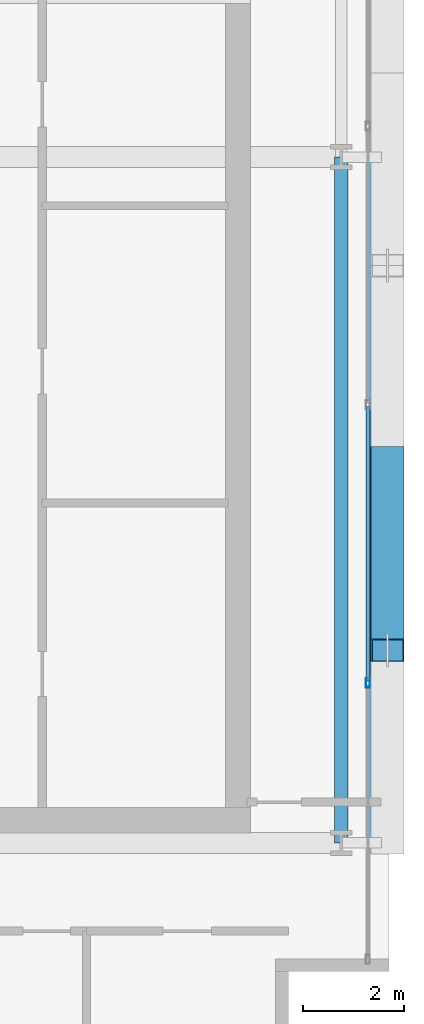
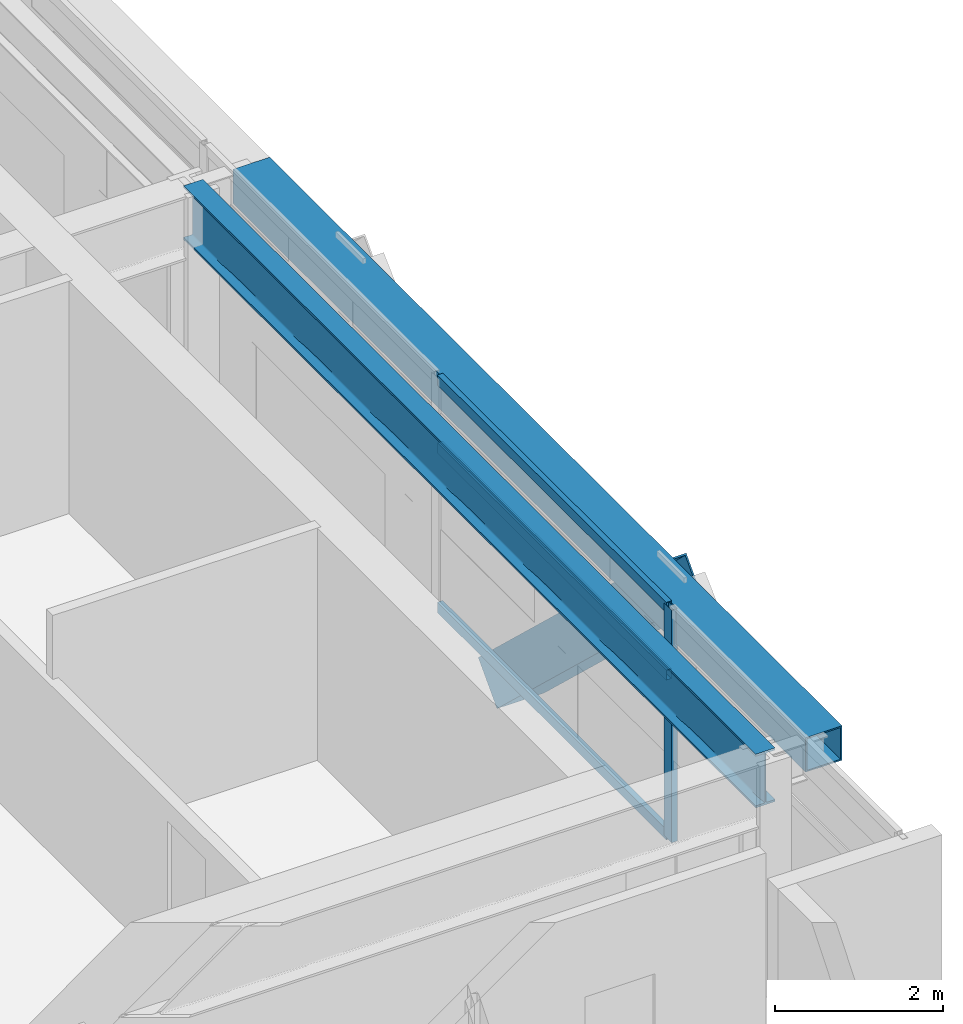
# One storey, part 12 of 31: 5 members, 2 beams, 1 element without a shape of its own.
"""IFC4 building model written with IfcOpenShell, lengths in metres."""

from ifc_helpers import new_model, si_unit, direction, frame, origin, origin_2d, place, context, subcontext, project, spatial, hollow_rectangle, i_section, extrude, source, transform, mapped, material, layer, layer_set, material_profile, profile_set, type_object, element, aggregate, save


model = new_model("IFC4")

# Units and contexts
model_context = context("Model", 3, precision=1e-05, world=origin(), true_north=direction((0.0, 1.0)))
body_context = subcontext(model_context, "Body", "Model", "MODEL_VIEW")
ifc_project = project(units=[si_unit("LENGTHUNIT", "METRE"), si_unit("AREAUNIT", "SQUARE_METRE"), si_unit("VOLUMEUNIT", "CUBIC_METRE"), si_unit("PLANEANGLEUNIT", "RADIAN"), si_unit("MASSUNIT", "GRAM", prefix="KILO")], contexts=[model_context])

# Site, building, storey
site_placement = place(None, origin())
site = spatial("IfcSite", under=ifc_project, at=site_placement, CompositionType="ELEMENT")
building_placement = place(site_placement, origin())
building = spatial("IfcBuilding", under=site, at=building_placement, Name="Ocotamira Hotel", CompositionType="ELEMENT")
storey_placement = place(building_placement, frame((0.0, 0.0, 210.0)))
storey = spatial("IfcBuildingStorey", under=building, at=storey_placement, Name="L53", CompositionType="ELEMENT", Elevation=210.0)

# Beams
ifc_material_1 = material(Name="Steel ASTM A992 Grade 50", Category="steel")
ifc_material_profile_1 = material_profile(ifc_material_1, i_section(OverallWidth=0.26611328125, OverallDepth=0.779052734375, WebThickness=0.0166015625, FlangeThickness=0.030029296875, FilletRadius=0.01806640625, at=origin_2d()), Name="W30X148")
ifc_profile_set_1 = profile_set([ifc_material_profile_1], Name="Steel ASTM A992 Grade 50")
beam_type_1 = type_object("IfcBeamType", Name="BM-GIRD-W30X148", PredefinedType="BEAM", material=ifc_profile_set_1)
shared_shape_1 = source(origin(), body_context, "Body", "SweptSolid", [
    extrude(i_section(OverallWidth=0.26611328125, OverallDepth=0.779052734375, WebThickness=0.0166015625, FlangeThickness=0.030029296875, FilletRadius=0.01806640625, at=origin_2d()), origin(), (0.0, 0.0, 1.0), 13.599853515625),
])
beam_1_placement = place(storey_placement, frame((55.050048828125, 14.550048828125, 2.98046875), z_axis=(0.0, 1.0, 0.0), x_axis=(-1.0, 0.0, 0.0)))
element("IfcBeam", 1, at=beam_1_placement, inside=storey, type_object=beam_type_1, Name="L53 Beam X55.05 Y14.55-28.15", PredefinedType="BEAM", context=body_context, shape_type="MappedRepresentation", body=[
    mapped(shared_shape_1, transform((0.0, 0.0, 0.0), scale=1.0)),
])
ifc_material_2 = material(Name="Steel ASTM A500 Grade C", Category="steel")
ifc_material_profile_2 = material_profile(ifc_material_2, hollow_rectangle(XDim=0.5, YDim=0.5, WallThickness=0.02001953125, at=origin_2d()), Name="HSS500X500X20")
ifc_profile_set_2 = profile_set([ifc_material_profile_2], Name="Steel ASTM A500 Grade C")
beam_type_2 = type_object("IfcBeamType", Name="BM-SPAN-HSS500", PredefinedType="USERDEFINED", material=ifc_profile_set_2)
shared_shape_2 = source(origin(), body_context, "Body", "SweptSolid", [
    extrude(hollow_rectangle(XDim=0.5, YDim=0.5, WallThickness=0.02001953125, at=origin_2d()), origin(), (0.0, 0.0, 1.0), 13.599853515625),
])
beam_2_placement = place(storey_placement, frame((55.85009765625, 14.550048828125, 3.1201171875), z_axis=(0.0, 1.0, 0.0), x_axis=(-1.0, 0.0, 0.0)))
element("IfcBeam", 2, at=beam_2_placement, inside=storey, type_object=beam_type_2, Name="L53 Edge Spandrel E Y14.55-28.15", ObjectType="SPANDREL", PredefinedType="USERDEFINED", context=body_context, shape_type="MappedRepresentation", body=[
    mapped(shared_shape_2, transform((0.0, 0.0, 0.0), scale=1.0)),
])

# Member
ifc_material_3 = material(Name="Pale-metal coated steel ASTM A913 Grade 65", Category="steel")
ifc_material_profile_3 = material_profile(ifc_material_3, hollow_rectangle(XDim=0.64990234375, YDim=0.64990234375, WallThickness=0.02197265625, at=origin_2d()), Name="BOX650X650X22")
ifc_profile_set_3 = profile_set([ifc_material_profile_3], Name="Pale-metal coated steel ASTM A913 Grade 65")
member_type_1 = type_object("IfcMemberType", Name="MEM-EXO-BOX650", PredefinedType="BRACE", material=ifc_profile_set_3)
shared_shape_3 = source(origin(), body_context, "Body", "SweptSolid", [
    extrude(hollow_rectangle(XDim=0.64990234375, YDim=0.64990234375, WallThickness=0.02197265625, at=origin_2d()), origin(), (0.0, 0.0, 1.0), 5.24658203125),
])
member_1_placement = place(storey_placement, frame((55.969970703125, 22.183349609375, -0.47998046875), z_axis=(0.0, -0.727442733726, 0.686168397078), x_axis=(1.0, 0.0, 0.0)))
element("IfcMember", 3, at=member_1_placement, inside=storey, type_object=member_type_1, Name="L53 Exoskeleton Diagrid E0.2", PredefinedType="BRACE", context=body_context, shape_type="MappedRepresentation", body=[
    mapped(shared_shape_3, transform((0.0, 0.0, 0.0), scale=1.0)),
])

# Curtain wall, members
ifc_material_4 = material(Name="Anodised pale-metal aluminium and solar glass", Category="aluminium")
ifc_layer = layer(ifc_material_4, 0.199951171875)
ifc_layer_set = layer_set([ifc_layer], Name="Anodised pale-metal aluminium and solar glass")
curtain_wall_type = type_object("IfcCurtainWallType", Name="CW-SYS4-Z3", PredefinedType="NOTDEFINED", material=ifc_layer_set)
curtain_wall_placement = place(storey_placement, origin())
curtain_wall = element("IfcCurtainWall", 4, at=curtain_wall_placement, inside=storey, type_object=curtain_wall_type, Name="L53 Curtain Wall CW-4 CW-L53-E", PredefinedType="NOTDEFINED")
ifc_material_5 = material(Name="Anodised pale-metal aluminium 6063-T6", Category="aluminium")
ifc_material_profile_4 = material_profile(ifc_material_5, hollow_rectangle(XDim=0.080078125, YDim=0.179931640625, WallThickness=0.006103515625, at=origin_2d()), Name="HSS180X80X6")
ifc_profile_set_4 = profile_set([ifc_material_profile_4], Name="Anodised pale-metal aluminium 6063-T6")
member_type_2 = type_object("IfcMemberType", Name="CWM-180X75", PredefinedType="MULLION", material=ifc_profile_set_4)
shared_shape_4 = source(origin(), body_context, "Body", "SweptSolid", [
    extrude(hollow_rectangle(XDim=0.080078125, YDim=0.179931640625, WallThickness=0.006103515625, at=origin_2d()), origin(), (0.0, 0.0, 1.0), 3.3701171875),
])
member_2_placement = place(storey_placement, frame((55.580078125, 17.719970703125, 0.0), z_axis=(0.0, 0.0, 1.0), x_axis=(-1.0, 0.0, 0.0)))
member_2 = element("IfcMember", 5, at=member_2_placement, type_object=member_type_2, Name="CW-4 mullion 2", PredefinedType="MULLION", context=body_context, shape_type="MappedRepresentation", body=[
    mapped(shared_shape_4, transform((0.0, 0.0, 0.0), scale=1.0)),
])
ifc_material_profile_5 = material_profile(ifc_material_5, hollow_rectangle(XDim=0.074951171875, YDim=0.14990234375, WallThickness=0.006103515625, at=origin_2d()), Name="HSS150X75X6")
ifc_profile_set_5 = profile_set([ifc_material_profile_5], Name="Anodised pale-metal aluminium 6063-T6")
member_type_3 = type_object("IfcMemberType", Name="CWT-150X75", PredefinedType="USERDEFINED", material=ifc_profile_set_5)
shared_shape_5 = source(origin(), body_context, "Body", "SweptSolid", [
    extrude(hollow_rectangle(XDim=0.074951171875, YDim=0.14990234375, WallThickness=0.006103515625, at=origin_2d()), origin(), (0.0, 0.0, 1.0), 5.43994140625),
])
member_3_placement = place(storey_placement, frame((55.580078125, 17.760009765625, 0.03759765625), z_axis=(0.0, 1.0, 0.0), x_axis=(-1.0, 0.0, 0.0)))
member_3 = element("IfcMember", 6, at=member_3_placement, type_object=member_type_3, Name="CW-4 transom 2.1", ObjectType="TRANSOM", PredefinedType="USERDEFINED", context=body_context, shape_type="MappedRepresentation", body=[
    mapped(shared_shape_5, transform((0.0, 0.0, 0.0), scale=1.0)),
])
member_4_placement = place(storey_placement, frame((55.580078125, 17.760009765625, 2.35009765625), z_axis=(0.0, 1.0, 0.0), x_axis=(-1.0, 0.0, 0.0)))
member_4 = element("IfcMember", 7, at=member_4_placement, type_object=member_type_3, Name="CW-4 transom 2.2", ObjectType="TRANSOM", PredefinedType="USERDEFINED", context=body_context, shape_type="MappedRepresentation", body=[
    mapped(shared_shape_5, transform((0.0, 0.0, 0.0), scale=1.0)),
])
member_5_placement = place(storey_placement, frame((55.580078125, 17.760009765625, 3.33251953125), z_axis=(0.0, 1.0, 0.0), x_axis=(-1.0, 0.0, 0.0)))
member_5 = element("IfcMember", 8, at=member_5_placement, type_object=member_type_3, Name="CW-4 transom 2.3", ObjectType="TRANSOM", PredefinedType="USERDEFINED", context=body_context, shape_type="MappedRepresentation", body=[
    mapped(shared_shape_5, transform((0.0, 0.0, 0.0), scale=1.0)),
])
aggregate(curtain_wall, [member_2, member_3, member_4, member_5])

save(model, "model.ifc")
